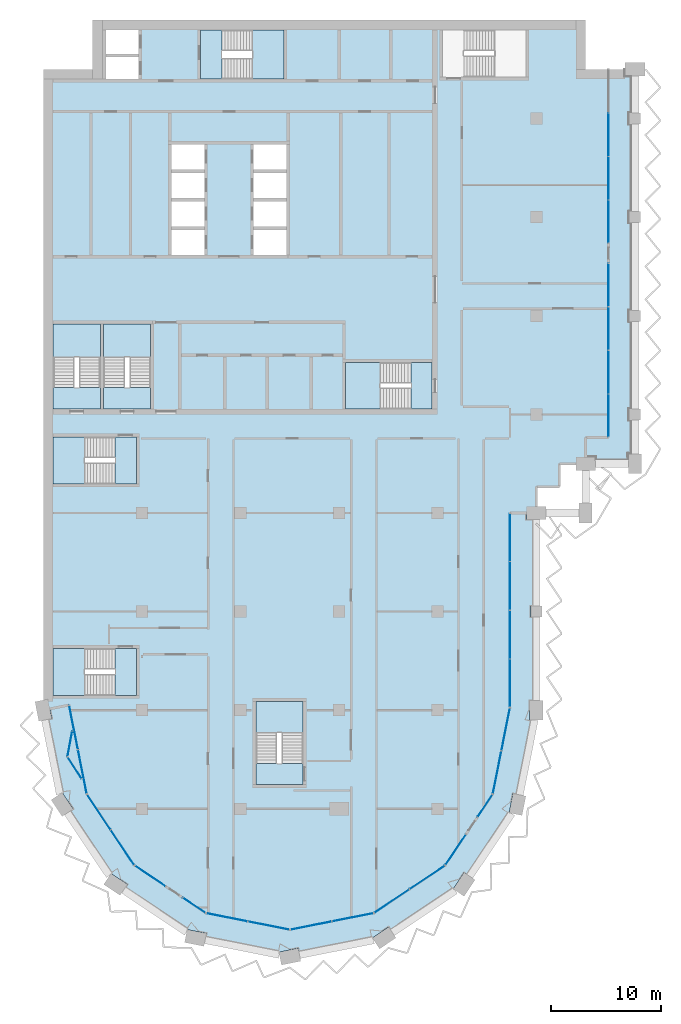
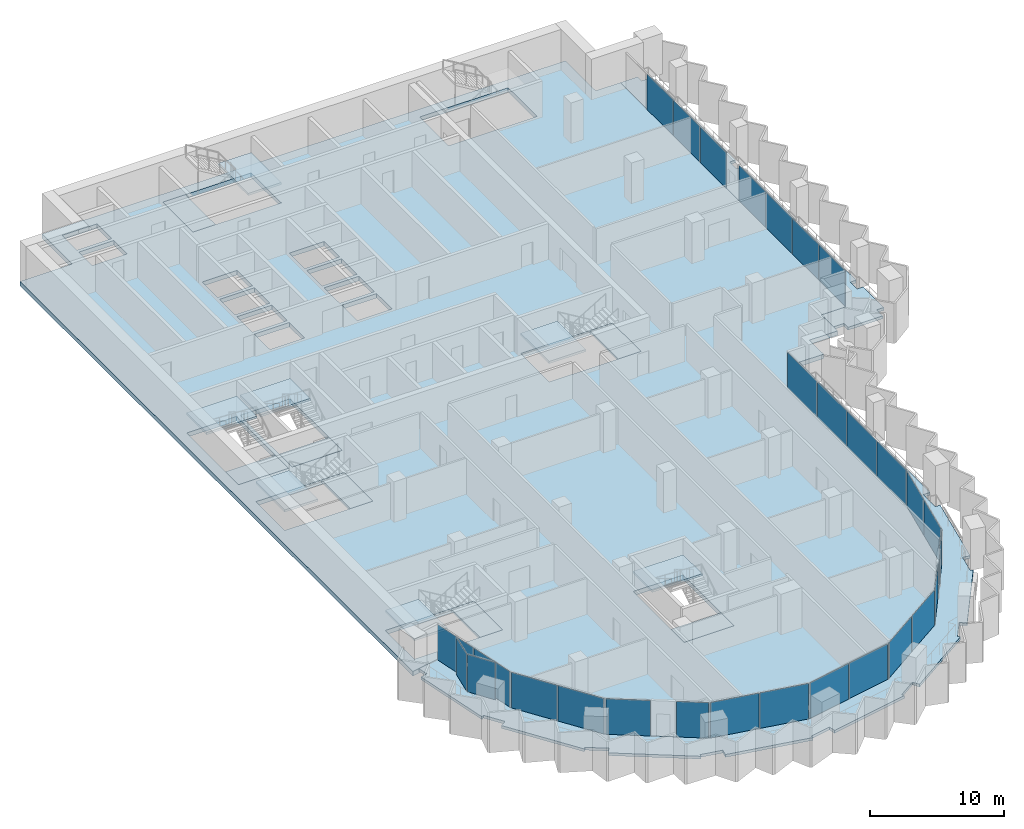
# One storey, part 7 of 19: 29 plates, 17 slabs, 22 elements without a shape of their own.
"""IFC4 building model written with IfcOpenShell, lengths in metres."""

from ifc_helpers import new_model, si_unit, direction, frame, origin, origin_2d, place, context, subcontext, project, spatial, polyline, rectangle, outline, extrude, material, layer, layer_set, type_object, element, aggregate, save


model = new_model("IFC4")

# Units and contexts
model_context = context("Model", 3, precision=1e-05, world=origin(), true_north=direction((0.0, 1.0)))
body_context = subcontext(model_context, "Body", "Model", "MODEL_VIEW")
ifc_project = project(units=[si_unit("LENGTHUNIT", "METRE"), si_unit("AREAUNIT", "SQUARE_METRE"), si_unit("VOLUMEUNIT", "CUBIC_METRE"), si_unit("PLANEANGLEUNIT", "RADIAN"), si_unit("MASSUNIT", "GRAM", prefix="KILO")], contexts=[model_context])

# Site, building, storey
site_placement = place(None, origin())
site = spatial("IfcSite", under=ifc_project, at=site_placement, CompositionType="ELEMENT")
building_placement = place(site_placement, origin())
building = spatial("IfcBuilding", under=site, at=building_placement, Name="Hunhe Ridgeline Campus", CompositionType="ELEMENT")
storey_placement = place(building_placement, frame((0.0, 0.0, 219.800048828125)))
storey = spatial("IfcBuildingStorey", under=building, at=storey_placement, Name="L56", CompositionType="ELEMENT", Elevation=219.800048828125)

# Curtain wall, plates
ifc_material_1 = material(Name="Aluminium 6063", Category="aluminium")
curtain_wall_type_1 = type_object("IfcCurtainWallType", Name="Curtain wall CW-5", PredefinedType="NOTDEFINED", material=ifc_material_1)
curtain_wall_1_placement = place(storey_placement, origin())
curtain_wall_1 = element("IfcCurtainWall", 1, at=curtain_wall_1_placement, inside=storey, type_object=curtain_wall_type_1, Name="Curtain wall 01", PredefinedType="NOTDEFINED")
ifc_material_2 = material(Name="Low-e laminated glass", Category="glass")
ifc_layer_1 = layer(ifc_material_2, 0.028076171875)
ifc_layer_set_1 = layer_set([ifc_layer_1], Name="Curtain wall glass panel 28 low-e laminated")
plate_type = type_object("IfcPlateType", Name="Curtain wall glass panel 28 low-e laminated", PredefinedType="CURTAIN_PANEL", material=ifc_layer_set_1)
plate_1_placement = place(storey_placement, frame((2.76318359375, 34.416015625, 0.0), z_axis=(0.0, 0.0, 1.0), x_axis=(0.195095347137, -0.980784280831, 0.0)))
plate_1 = element("IfcPlate", 2, at=plate_1_placement, type_object=plate_type, Name="CW-5 panel 1", PredefinedType="CURTAIN_PANEL", context=body_context, shape_type="SweptSolid", body=[
    extrude(rectangle(XDim=4.0458984375, YDim=0.028076171875, at=origin_2d()), origin(), (0.0, 0.0, 1.0), 3.22998046875),
])
plate_2_placement = place(storey_placement, frame((3.566162109375, 30.379150390625, 0.0), z_axis=(0.0, 0.0, 1.0), x_axis=(0.195095347137, -0.980784280831, 0.0)))
plate_2 = element("IfcPlate", 3, at=plate_2_placement, type_object=plate_type, Name="CW-5 panel 2", PredefinedType="CURTAIN_PANEL", context=body_context, shape_type="SweptSolid", body=[
    extrude(rectangle(XDim=4.0458984375, YDim=0.028076171875, at=origin_2d()), origin(), (0.0, 0.0, 1.0), 3.22998046875),
])
aggregate(curtain_wall_1, [plate_1, plate_2])

# Curtain wall, plate
curtain_wall_type_2 = type_object("IfcCurtainWallType", Name="Curtain wall CW-2", PredefinedType="NOTDEFINED", material=ifc_material_1)
curtain_wall_2_placement = place(storey_placement, origin())
curtain_wall_2 = element("IfcCurtainWall", 4, at=curtain_wall_2_placement, inside=storey, type_object=curtain_wall_type_2, Name="Curtain wall B01a", PredefinedType="NOTDEFINED")
plate_3_placement = place(storey_placement, frame((2.4248046875, 32.938720703125, 0.0), z_axis=(0.0, 0.0, 1.0), x_axis=(-0.183112559813, -0.983091954213, 0.0)))
plate_3 = element("IfcPlate", 5, at=plate_3_placement, type_object=plate_type, Name="CW-2 panel 1", PredefinedType="CURTAIN_PANEL", context=body_context, shape_type="SweptSolid", body=[
    extrude(rectangle(XDim=2.30322265625, YDim=0.028076171875, at=origin_2d()), origin(), (0.0, 0.0, 1.0), 3.389892578125),
])
aggregate(curtain_wall_2, [plate_3])

curtain_wall_3_placement = place(storey_placement, origin())
curtain_wall_3 = element("IfcCurtainWall", 6, at=curtain_wall_3_placement, inside=storey, type_object=curtain_wall_type_2, Name="Curtain wall B01b", PredefinedType="NOTDEFINED")
plate_4_placement = place(storey_placement, frame((2.86376953125, 30.73193359375, 0.0), z_axis=(0.0, 0.0, 1.0), x_axis=(0.545395474403, -0.838178845176, 0.0)))
plate_4 = element("IfcPlate", 7, at=plate_4_placement, type_object=plate_type, Name="CW-2 panel 1", PredefinedType="CURTAIN_PANEL", context=body_context, shape_type="SweptSolid", body=[
    extrude(rectangle(XDim=2.30322265625, YDim=0.028076171875, at=origin_2d()), origin(), (0.0, 0.0, 1.0), 3.389892578125),
])
aggregate(curtain_wall_3, [plate_4])

# Curtain wall, plates
curtain_wall_4_placement = place(storey_placement, origin())
curtain_wall_4 = element("IfcCurtainWall", 8, at=curtain_wall_4_placement, inside=storey, type_object=curtain_wall_type_1, Name="Curtain wall 02", PredefinedType="NOTDEFINED")
plate_5_placement = place(storey_placement, frame((5.07080078125, 26.685546875, 0.0), z_axis=(0.0, 0.0, 1.0), x_axis=(0.555570274596, -0.831469584522, 0.0)))
plate_5 = element("IfcPlate", 9, at=plate_5_placement, type_object=plate_type, Name="CW-5 panel 1", PredefinedType="CURTAIN_PANEL", context=body_context, shape_type="SweptSolid", body=[
    extrude(rectangle(XDim=3.806884765625, YDim=0.028076171875, at=origin_2d()), origin(), (0.0, 0.0, 1.0), 3.22998046875),
])
plate_6_placement = place(storey_placement, frame((7.224609375, 23.4619140625, 0.0), z_axis=(0.0, 0.0, 1.0), x_axis=(0.555570274596, -0.831469584522, 0.0)))
plate_6 = element("IfcPlate", 10, at=plate_6_placement, type_object=plate_type, Name="CW-5 panel 2", PredefinedType="CURTAIN_PANEL", context=body_context, shape_type="SweptSolid", body=[
    extrude(rectangle(XDim=3.806884765625, YDim=0.028076171875, at=origin_2d()), origin(), (0.0, 0.0, 1.0), 3.22998046875),
])
aggregate(curtain_wall_4, [plate_5, plate_6])

# Curtain wall, plate
curtain_wall_5_placement = place(storey_placement, origin())
curtain_wall_5 = element("IfcCurtainWall", 11, at=curtain_wall_5_placement, inside=storey, type_object=curtain_wall_type_1, Name="Curtain wall 03", PredefinedType="NOTDEFINED")
plate_7_placement = place(storey_placement, frame((9.76025390625, 20.859375, 0.0), z_axis=(0.0, 0.0, 1.0), x_axis=(0.831469595944, -0.555570257501, 0.0)))
plate_7 = element("IfcPlate", 12, at=plate_7_placement, type_object=plate_type, Name="CW-5 panel 1", PredefinedType="CURTAIN_PANEL", context=body_context, shape_type="SweptSolid", body=[
    extrude(rectangle(XDim=3.322021484375, YDim=0.028076171875, at=origin_2d()), origin(), (0.0, 0.0, 1.0), 3.22998046875),
])
aggregate(curtain_wall_5, [plate_7])

curtain_wall_6_placement = place(storey_placement, origin())
curtain_wall_6 = element("IfcCurtainWall", 13, at=curtain_wall_6_placement, inside=storey, type_object=curtain_wall_type_1, Name="Curtain wall 04", PredefinedType="NOTDEFINED")
plate_8_placement = place(storey_placement, frame((13.761474609375, 18.18603515625, 0.0), z_axis=(0.0, 0.0, 1.0), x_axis=(0.831469510353, -0.555570385598, 0.0)))
plate_8 = element("IfcPlate", 14, at=plate_8_placement, type_object=plate_type, Name="CW-5 panel 1", PredefinedType="CURTAIN_PANEL", context=body_context, shape_type="SweptSolid", body=[
    extrude(rectangle(XDim=2.421875, YDim=0.028076171875, at=origin_2d()), origin(), (0.0, 0.0, 1.0), 3.22998046875),
])
aggregate(curtain_wall_6, [plate_8])

# Curtain wall, plates
curtain_wall_7_placement = place(storey_placement, origin())
curtain_wall_7 = element("IfcCurtainWall", 15, at=curtain_wall_7_placement, inside=storey, type_object=curtain_wall_type_1, Name="Curtain wall 05", PredefinedType="NOTDEFINED")
plate_9_placement = place(storey_placement, frame((16.761962890625, 17.08935546875, 0.0), z_axis=(0.0, 0.0, 1.0), x_axis=(0.980785275326, -0.195090347539, 0.0)))
plate_9 = element("IfcPlate", 16, at=plate_9_placement, type_object=plate_type, Name="CW-5 panel 1", PredefinedType="CURTAIN_PANEL", context=body_context, shape_type="SweptSolid", body=[
    extrude(rectangle(XDim=3.806884765625, YDim=0.028076171875, at=origin_2d()), origin(), (0.0, 0.0, 1.0), 3.22998046875),
])
plate_10_placement = place(storey_placement, frame((20.564453125, 16.3330078125, 0.0), z_axis=(0.0, 0.0, 1.0), x_axis=(0.980785275326, -0.195090347539, 0.0)))
plate_10 = element("IfcPlate", 17, at=plate_10_placement, type_object=plate_type, Name="CW-5 panel 2", PredefinedType="CURTAIN_PANEL", context=body_context, shape_type="SweptSolid", body=[
    extrude(rectangle(XDim=3.806884765625, YDim=0.028076171875, at=origin_2d()), origin(), (0.0, 0.0, 1.0), 3.22998046875),
])
aggregate(curtain_wall_7, [plate_9, plate_10])

curtain_wall_8_placement = place(storey_placement, origin())
curtain_wall_8 = element("IfcCurtainWall", 18, at=curtain_wall_8_placement, inside=storey, type_object=curtain_wall_type_1, Name="Curtain wall 06", PredefinedType="NOTDEFINED")
plate_11_placement = place(storey_placement, frame((24.435546875, 16.3330078125, 0.0), z_axis=(0.0, 0.0, 1.0), x_axis=(0.980785275326, 0.195090347539, 0.0)))
plate_11 = element("IfcPlate", 19, at=plate_11_placement, type_object=plate_type, Name="CW-5 panel 1", PredefinedType="CURTAIN_PANEL", context=body_context, shape_type="SweptSolid", body=[
    extrude(rectangle(XDim=3.806884765625, YDim=0.028076171875, at=origin_2d()), origin(), (0.0, 0.0, 1.0), 3.22998046875),
])
plate_12_placement = place(storey_placement, frame((28.238037109375, 17.08935546875, 0.0), z_axis=(0.0, 0.0, 1.0), x_axis=(0.980785275326, 0.195090347539, 0.0)))
plate_12 = element("IfcPlate", 20, at=plate_12_placement, type_object=plate_type, Name="CW-5 panel 2", PredefinedType="CURTAIN_PANEL", context=body_context, shape_type="SweptSolid", body=[
    extrude(rectangle(XDim=3.806884765625, YDim=0.028076171875, at=origin_2d()), origin(), (0.0, 0.0, 1.0), 3.22998046875),
])
aggregate(curtain_wall_8, [plate_11, plate_12])

curtain_wall_9_placement = place(storey_placement, origin())
curtain_wall_9 = element("IfcCurtainWall", 21, at=curtain_wall_9_placement, inside=storey, type_object=curtain_wall_type_1, Name="Curtain wall 07", PredefinedType="NOTDEFINED")
plate_13_placement = place(storey_placement, frame((31.814453125, 18.57080078125, 0.0), z_axis=(0.0, 0.0, 1.0), x_axis=(0.831469584522, 0.555570274596, 0.0)))
plate_13 = element("IfcPlate", 22, at=plate_13_placement, type_object=plate_type, Name="CW-5 panel 1", PredefinedType="CURTAIN_PANEL", context=body_context, shape_type="SweptSolid", body=[
    extrude(rectangle(XDim=3.806884765625, YDim=0.028076171875, at=origin_2d()), origin(), (0.0, 0.0, 1.0), 3.22998046875),
])
plate_14_placement = place(storey_placement, frame((35.0380859375, 20.724609375, 0.0), z_axis=(0.0, 0.0, 1.0), x_axis=(0.831469584522, 0.555570274596, 0.0)))
plate_14 = element("IfcPlate", 23, at=plate_14_placement, type_object=plate_type, Name="CW-5 panel 2", PredefinedType="CURTAIN_PANEL", context=body_context, shape_type="SweptSolid", body=[
    extrude(rectangle(XDim=3.806884765625, YDim=0.028076171875, at=origin_2d()), origin(), (0.0, 0.0, 1.0), 3.22998046875),
])
aggregate(curtain_wall_9, [plate_13, plate_14])

# Curtain wall, plate
curtain_wall_10_placement = place(storey_placement, origin())
curtain_wall_10 = element("IfcCurtainWall", 24, at=curtain_wall_10_placement, inside=storey, type_object=curtain_wall_type_1, Name="Curtain wall 08", PredefinedType="NOTDEFINED")
plate_15_placement = place(storey_placement, frame((37.640625, 23.26025390625, 0.0), z_axis=(0.0, 0.0, 1.0), x_axis=(0.555570257501, 0.831469595944, 0.0)))
plate_15 = element("IfcPlate", 25, at=plate_15_placement, type_object=plate_type, Name="CW-5 panel 1", PredefinedType="CURTAIN_PANEL", context=body_context, shape_type="SweptSolid", body=[
    extrude(rectangle(XDim=3.322021484375, YDim=0.028076171875, at=origin_2d()), origin(), (0.0, 0.0, 1.0), 3.22998046875),
])
aggregate(curtain_wall_10, [plate_15])

curtain_wall_11_placement = place(storey_placement, origin())
curtain_wall_11 = element("IfcCurtainWall", 26, at=curtain_wall_11_placement, inside=storey, type_object=curtain_wall_type_1, Name="Curtain wall 09", PredefinedType="NOTDEFINED")
plate_16_placement = place(storey_placement, frame((40.31396484375, 27.261474609375, 0.0), z_axis=(0.0, 0.0, 1.0), x_axis=(0.555570385598, 0.831469510353, 0.0)))
plate_16 = element("IfcPlate", 27, at=plate_16_placement, type_object=plate_type, Name="CW-5 panel 1", PredefinedType="CURTAIN_PANEL", context=body_context, shape_type="SweptSolid", body=[
    extrude(rectangle(XDim=2.421875, YDim=0.028076171875, at=origin_2d()), origin(), (0.0, 0.0, 1.0), 3.22998046875),
])
aggregate(curtain_wall_11, [plate_16])

# Curtain wall, plates
curtain_wall_12_placement = place(storey_placement, origin())
curtain_wall_12 = element("IfcCurtainWall", 28, at=curtain_wall_12_placement, inside=storey, type_object=curtain_wall_type_1, Name="Curtain wall 10", PredefinedType="NOTDEFINED")
plate_17_placement = place(storey_placement, frame((41.42236328125, 30.321044921875, 0.0), z_axis=(0.0, 0.0, 1.0), x_axis=(0.195090299215, 0.980785284939, 0.0)))
plate_17 = element("IfcPlate", 29, at=plate_17_placement, type_object=plate_type, Name="CW-5 panel 1", PredefinedType="CURTAIN_PANEL", context=body_context, shape_type="SweptSolid", body=[
    extrude(rectangle(XDim=3.927490234375, YDim=0.028076171875, at=origin_2d()), origin(), (0.0, 0.0, 1.0), 3.22998046875),
])
plate_18_placement = place(storey_placement, frame((42.2021484375, 34.24169921875, 0.0), z_axis=(0.0, 0.0, 1.0), x_axis=(0.195090299215, 0.980785284939, 0.0)))
plate_18 = element("IfcPlate", 30, at=plate_18_placement, type_object=plate_type, Name="CW-5 panel 2", PredefinedType="CURTAIN_PANEL", context=body_context, shape_type="SweptSolid", body=[
    extrude(rectangle(XDim=3.927490234375, YDim=0.028076171875, at=origin_2d()), origin(), (0.0, 0.0, 1.0), 3.22998046875),
])
aggregate(curtain_wall_12, [plate_17, plate_18])

curtain_wall_type_3 = type_object("IfcCurtainWallType", Name="Curtain wall CW-1", PredefinedType="NOTDEFINED", material=ifc_material_1)
curtain_wall_13_placement = place(storey_placement, origin())
curtain_wall_13 = element("IfcCurtainWall", 31, at=curtain_wall_13_placement, inside=storey, type_object=curtain_wall_type_3, Name="Curtain wall 11", PredefinedType="NOTDEFINED")
plate_19_placement = place(storey_placement, frame((42.59912109375, 38.471923828125, 0.0), z_axis=(0.0, 0.0, 1.0), x_axis=(6.642653e-06, 0.999999999978, 0.0)))
plate_19 = element("IfcPlate", 32, at=plate_19_placement, type_object=plate_type, Name="CW-1 panel 1", PredefinedType="CURTAIN_PANEL", context=body_context, shape_type="SweptSolid", body=[
    extrude(rectangle(XDim=4.35107421875, YDim=0.028076171875, at=origin_2d()), origin(), (0.0, 0.0, 1.0), 3.239990234375),
])
plate_20_placement = place(storey_placement, frame((42.59912109375, 42.89794921875, 0.0), z_axis=(0.0, 0.0, 1.0), x_axis=(6.642653e-06, 0.999999999978, 0.0)))
plate_20 = element("IfcPlate", 33, at=plate_20_placement, type_object=plate_type, Name="CW-1 panel 2", PredefinedType="CURTAIN_PANEL", context=body_context, shape_type="SweptSolid", body=[
    extrude(rectangle(XDim=4.381103515625, YDim=0.028076171875, at=origin_2d()), origin(), (0.0, 0.0, 1.0), 3.239990234375),
])
plate_21_placement = place(storey_placement, frame((42.59912109375, 47.3388671875, 0.0), z_axis=(0.0, 0.0, 1.0), x_axis=(6.642653e-06, 0.999999999978, 0.0)))
plate_21 = element("IfcPlate", 34, at=plate_21_placement, type_object=plate_type, Name="CW-1 panel 3", PredefinedType="CURTAIN_PANEL", context=body_context, shape_type="SweptSolid", body=[
    extrude(rectangle(XDim=4.381103515625, YDim=0.028076171875, at=origin_2d()), origin(), (0.0, 0.0, 1.0), 3.239990234375),
])
plate_22_placement = place(storey_placement, frame((42.59912109375, 51.764892578125, 0.0), z_axis=(0.0, 0.0, 1.0), x_axis=(6.642653e-06, 0.999999999978, 0.0)))
plate_22 = element("IfcPlate", 35, at=plate_22_placement, type_object=plate_type, Name="CW-1 panel 4", PredefinedType="CURTAIN_PANEL", context=body_context, shape_type="SweptSolid", body=[
    extrude(rectangle(XDim=4.35107421875, YDim=0.028076171875, at=origin_2d()), origin(), (0.0, 0.0, 1.0), 3.239990234375),
])
aggregate(curtain_wall_13, [plate_19, plate_20, plate_21, plate_22])

curtain_wall_14_placement = place(storey_placement, origin())
curtain_wall_14 = element("IfcCurtainWall", 36, at=curtain_wall_14_placement, inside=storey, type_object=curtain_wall_type_3, Name="Curtain wall 12", PredefinedType="NOTDEFINED")
plate_23_placement = place(storey_placement, frame((51.59912109375, 62.9033203125, 0.0), z_axis=(0.0, 0.0, 1.0), x_axis=(0.0, 1.0, 0.0)))
plate_23 = element("IfcPlate", 37, at=plate_23_placement, type_object=plate_type, Name="CW-1 panel 1", PredefinedType="CURTAIN_PANEL", context=body_context, shape_type="SweptSolid", body=[
    extrude(rectangle(XDim=3.884765625, YDim=0.028076171875, at=origin_2d()), origin(), (0.0, 0.0, 1.0), 3.239990234375),
])
plate_24_placement = place(storey_placement, frame((51.59912109375, 66.86328125, 0.0), z_axis=(0.0, 0.0, 1.0), x_axis=(0.0, 1.0, 0.0)))
plate_24 = element("IfcPlate", 38, at=plate_24_placement, type_object=plate_type, Name="CW-1 panel 2", PredefinedType="CURTAIN_PANEL", context=body_context, shape_type="SweptSolid", body=[
    extrude(rectangle(XDim=3.914794921875, YDim=0.028076171875, at=origin_2d()), origin(), (0.0, 0.0, 1.0), 3.239990234375),
])
plate_25_placement = place(storey_placement, frame((51.59912109375, 70.838134765625, 0.0), z_axis=(0.0, 0.0, 1.0), x_axis=(0.0, 1.0, 0.0)))
plate_25 = element("IfcPlate", 39, at=plate_25_placement, type_object=plate_type, Name="CW-1 panel 3", PredefinedType="CURTAIN_PANEL", context=body_context, shape_type="SweptSolid", body=[
    extrude(rectangle(XDim=3.914794921875, YDim=0.028076171875, at=origin_2d()), origin(), (0.0, 0.0, 1.0), 3.239990234375),
])
plate_26_placement = place(storey_placement, frame((51.59912109375, 74.798095703125, 0.0), z_axis=(0.0, 0.0, 1.0), x_axis=(0.0, 1.0, 0.0)))
plate_26 = element("IfcPlate", 40, at=plate_26_placement, type_object=plate_type, Name="CW-1 panel 4", PredefinedType="CURTAIN_PANEL", context=body_context, shape_type="SweptSolid", body=[
    extrude(rectangle(XDim=3.884765625, YDim=0.028076171875, at=origin_2d()), origin(), (0.0, 0.0, 1.0), 3.239990234375),
])
aggregate(curtain_wall_14, [plate_23, plate_24, plate_25, plate_26])

curtain_wall_15_placement = place(storey_placement, origin())
curtain_wall_15 = element("IfcCurtainWall", 41, at=curtain_wall_15_placement, inside=storey, type_object=curtain_wall_type_3, Name="Curtain wall 13", PredefinedType="NOTDEFINED")
plate_27_placement = place(storey_placement, frame((51.59912109375, 80.60302734375, 0.0), z_axis=(0.0, 0.0, 1.0), x_axis=(0.0, 1.0, 0.0)))
plate_27 = element("IfcPlate", 42, at=plate_27_placement, type_object=plate_type, Name="CW-1 panel 1", PredefinedType="CURTAIN_PANEL", context=body_context, shape_type="SweptSolid", body=[
    extrude(rectangle(XDim=3.884765625, YDim=0.028076171875, at=origin_2d()), origin(), (0.0, 0.0, 1.0), 3.239990234375),
])
plate_28_placement = place(storey_placement, frame((51.59912109375, 84.562744140625, 0.0), z_axis=(0.0, 0.0, 1.0), x_axis=(0.0, 1.0, 0.0)))
plate_28 = element("IfcPlate", 43, at=plate_28_placement, type_object=plate_type, Name="CW-1 panel 2", PredefinedType="CURTAIN_PANEL", context=body_context, shape_type="SweptSolid", body=[
    extrude(rectangle(XDim=3.914794921875, YDim=0.028076171875, at=origin_2d()), origin(), (0.0, 0.0, 1.0), 3.239990234375),
])
plate_29_placement = place(storey_placement, frame((51.59912109375, 88.53759765625, 0.0), z_axis=(0.0, 0.0, 1.0), x_axis=(0.0, 1.0, 0.0)))
plate_29 = element("IfcPlate", 44, at=plate_29_placement, type_object=plate_type, Name="CW-1 panel 3", PredefinedType="CURTAIN_PANEL", context=body_context, shape_type="SweptSolid", body=[
    extrude(rectangle(XDim=3.914794921875, YDim=0.028076171875, at=origin_2d()), origin(), (0.0, 0.0, 1.0), 3.239990234375),
])
aggregate(curtain_wall_15, [plate_27, plate_28, plate_29])

# Slabs
ifc_material_3 = material(Name="Concrete C40", Category="concrete")
ifc_layer_2 = layer(ifc_material_3, 0.39990234375)
ifc_layer_set_2 = layer_set([ifc_layer_2], Name="Floor slab 400 Concrete C40")
slab_type_1 = type_object("IfcSlabType", Name="Floor slab 400 Concrete C40", PredefinedType="FLOOR", material=ifc_layer_set_2)
slab_1_placement = place(storey_placement, frame((0.0, 0.0, -0.400146484375)))
element("IfcSlab", 45, at=slab_1_placement, inside=storey, type_object=slab_type_1, Name="Floor slab L56 1", PredefinedType="FLOOR", context=body_context, shape_type="SweptSolid", body=[
    extrude(outline(polyline([(30.173583984375, 17.474365234375), (36.678955078125, 21.821044921875), (41.025634765625, 28.326416015625), (42.59912109375, 36.236572265625), (42.59912109375, 54.00048828125), (44.9990234375, 54.0009765625), (44.999267578125, 56.400634765625), (47.09912109375, 56.40087890625), (47.099609375, 58.5009765625), (49.4990234375, 58.5009765625), (49.49951171875, 60.90087890625), (51.59912109375, 60.90087890625), (51.59912109375, 94.5), (49.5, 94.5), (49.5, 99.0), (4.5, 99.0), (4.5, 94.5), (0.0, 94.5), (0.0, 36.0009765625), (2.354736328125, 36.46875), (3.974365234375, 28.326416015625), (8.321044921875, 21.821044921875), (14.826416015625, 17.474365234375), (22.5, 15.947998046875), (30.173583984375, 17.474365234375)]), holes=[polyline([(36.449951171875, 93.800048828125), (44.050048828125, 93.800048828125), (44.050048828125, 98.10009765625), (36.449951171875, 98.10009765625), (36.449951171875, 93.800048828125)]), polyline([(35.5, 63.5), (35.5, 67.75), (27.60009765625, 67.75), (27.60009765625, 63.5), (35.5, 63.5)]), polyline([(19.39990234375, 29.199951171875), (23.699951171875, 29.199951171875), (23.699951171875, 36.800048828125), (19.39990234375, 36.800048828125), (19.39990234375, 29.199951171875)]), polyline([(22.199951171875, 80.14990234375), (22.199951171875, 82.449951171875), (19.199951171875, 82.449951171875), (19.199951171875, 80.14990234375), (22.199951171875, 80.14990234375)]), polyline([(22.199951171875, 79.85009765625), (19.199951171875, 79.85009765625), (19.199951171875, 77.550048828125), (22.199951171875, 77.550048828125), (22.199951171875, 79.85009765625)]), polyline([(19.199951171875, 87.64990234375), (19.199951171875, 85.35009765625), (22.199951171875, 85.35009765625), (22.199951171875, 87.64990234375), (19.199951171875, 87.64990234375)]), polyline([(19.199951171875, 82.75), (22.199951171875, 82.75), (22.199951171875, 85.050048828125), (19.199951171875, 85.050048828125), (19.199951171875, 82.75)]), polyline([(14.35009765625, 93.60009765625), (21.949951171875, 93.60009765625), (21.949951171875, 98.10009765625), (14.35009765625, 98.10009765625), (14.35009765625, 93.60009765625)]), polyline([(14.699951171875, 79.85009765625), (11.699951171875, 79.85009765625), (11.699951171875, 77.550048828125), (14.699951171875, 77.550048828125), (14.699951171875, 79.85009765625)]), polyline([(14.699951171875, 80.14990234375), (14.699951171875, 82.449951171875), (11.699951171875, 82.449951171875), (11.699951171875, 80.14990234375), (14.699951171875, 80.14990234375)]), polyline([(11.699951171875, 87.64990234375), (11.699951171875, 85.35009765625), (14.699951171875, 85.35009765625), (14.699951171875, 87.64990234375), (11.699951171875, 87.64990234375)]), polyline([(11.699951171875, 82.75), (14.699951171875, 82.75), (14.699951171875, 85.050048828125), (11.699951171875, 85.050048828125), (11.699951171875, 82.75)]), polyline([(9.800048828125, 71.25), (5.5, 71.25), (5.5, 63.5), (9.800048828125, 63.5), (9.800048828125, 71.25)]), polyline([(8.699951171875, 95.89990234375), (8.699951171875, 98.10009765625), (5.699951171875, 98.10009765625), (5.699951171875, 95.89990234375), (8.699951171875, 95.89990234375)]), polyline([(8.699951171875, 95.60009765625), (5.699951171875, 95.60009765625), (5.699951171875, 93.60009765625), (8.699951171875, 93.60009765625), (8.699951171875, 95.60009765625)]), polyline([(0.89990234375, 37.35009765625), (8.5, 37.35009765625), (8.5, 41.64990234375), (0.89990234375, 41.64990234375), (0.89990234375, 37.35009765625)]), polyline([(0.89990234375, 60.949951171875), (0.89990234375, 56.64990234375), (8.5, 56.64990234375), (8.5, 60.949951171875), (0.89990234375, 60.949951171875)]), polyline([(0.89990234375, 71.25), (0.89990234375, 63.5), (5.199951171875, 63.5), (5.199951171875, 71.25), (0.89990234375, 71.25)])]), origin(), (0.0, 0.0, 1.0), 0.400146484375),
])
ifc_layer_3 = layer(ifc_material_3, 0.25)
ifc_layer_set_3 = layer_set([ifc_layer_3], Name="Loggia slab 250 Concrete C40")
slab_type_2 = type_object("IfcSlabType", Name="Loggia slab 250 Concrete C40", PredefinedType="FLOOR", material=ifc_layer_set_3)
slab_2_placement = place(storey_placement, frame((0.0, 0.0, -0.25)))
element("IfcSlab", 46, at=slab_2_placement, inside=storey, type_object=slab_type_2, Name="Loggia slab 1", PredefinedType="FLOOR", context=body_context, shape_type="SweptSolid", body=[
    extrude(outline(polyline([(30.173828125, 17.473388671875), (22.5, 15.947021484375), (14.826171875, 17.473388671875), (8.3203125, 21.8203125), (3.973388671875, 28.326171875), (2.35400390625, 36.46826171875), (0.58837890625, 36.116943359375), (0.76416015625, 35.234375), (0.175537109375, 35.1171875), (1.522705078125, 28.344970703125), (1.711669921875, 28.47119140625), (2.711669921875, 26.974609375), (2.212646484375, 26.641357421875), (6.048828125, 20.900146484375), (6.175048828125, 21.089111328125), (7.671875, 20.0888671875), (7.33837890625, 19.590087890625), (13.07958984375, 15.75390625), (13.1240234375, 15.976806640625), (14.889404296875, 15.62548828125), (14.772216796875, 15.037109375), (21.544677734375, 13.68994140625), (21.500244140625, 13.912841796875), (23.265625, 14.26416015625), (23.3828125, 13.675537109375), (30.155029296875, 15.022705078125), (30.02880859375, 15.211669921875), (31.525390625, 16.211669921875), (31.858642578125, 15.712646484375), (37.599853515625, 19.548828125), (37.410888671875, 19.675048828125), (38.4111328125, 21.171875), (38.909912109375, 20.83837890625), (42.74609375, 26.57958984375), (42.523193359375, 26.6240234375), (42.87451171875, 28.389404296875), (43.462890625, 28.272216796875), (44.821044921875, 35.10009765625), (44.39990234375, 35.10009765625), (44.39990234375, 36.89990234375), (45.0, 36.89990234375), (45.0, 44.5), (44.5, 44.5), (44.5, 45.5), (45.0, 45.5), (45.0, 53.39990234375), (44.10009765625, 53.39990234375), (44.10009765625, 54.0), (42.60009765625, 54.0), (42.60009765625, 36.236328125), (41.026611328125, 28.326171875), (36.6796875, 21.8203125), (30.173828125, 17.473388671875)])), origin(), (0.0, 0.0, 1.0), 0.25),
])
slab_3_placement = place(storey_placement, frame((0.0, 0.0, -0.25)))
element("IfcSlab", 47, at=slab_3_placement, inside=storey, type_object=slab_type_2, Name="Loggia slab 2", PredefinedType="FLOOR", context=body_context, shape_type="SweptSolid", body=[
    extrude(outline(polyline([(49.5, 59.10009765625), (50.39990234375, 59.10009765625), (50.39990234375, 58.5), (53.39990234375, 58.5), (53.39990234375, 59.39990234375), (54.0, 59.39990234375), (54.0, 62.5), (53.5, 62.5), (53.5, 63.5), (54.0, 63.5), (54.0, 71.5), (53.5, 71.5), (53.5, 72.5), (54.0, 72.5), (54.0, 80.5), (53.5, 80.5), (53.5, 81.5), (54.0, 81.5), (54.0, 89.5), (53.5, 89.5), (53.5, 90.5), (54.0, 90.5), (54.0, 93.89990234375), (53.10009765625, 93.89990234375), (53.10009765625, 94.5), (51.60009765625, 94.5), (51.60009765625, 60.89990234375), (49.5, 60.89990234375), (49.5, 59.10009765625)])), origin(), (0.0, 0.0, 1.0), 0.25),
])

# Stair, slab
stair_type = type_object("IfcStairType", Name="Reinforced concrete dog-leg stair 1950 Concrete C40", PredefinedType="HALF_TURN_STAIR", material=ifc_material_3)
stair_1_placement = place(storey_placement, origin())
stair_1 = element("IfcStair", 48, at=stair_1_placement, inside=storey, type_object=stair_type, Name="L56 S1", PredefinedType="HALF_TURN_STAIR")
ifc_layer_4 = layer(ifc_material_3, 0.199951171875)
ifc_layer_set_4 = layer_set([ifc_layer_4], Name="Reinforced concrete stair landing 200 Concrete C40")
slab_type_3 = type_object("IfcSlabType", Name="Reinforced concrete stair landing 200 Concrete C40", PredefinedType="LANDING", material=ifc_layer_set_4)
slab_4_placement = place(storey_placement, frame((0.0, 0.0, 1.64990234375)))
slab_4 = element("IfcSlab", 49, at=slab_4_placement, type_object=slab_type_3, Name="ST1 landing 1", PredefinedType="LANDING", context=body_context, shape_type="SweptSolid", body=[
    extrude(outline(polyline([(19.10009765625, 93.60009765625), (21.949951171875, 93.60009765625), (21.949951171875, 98.10009765625), (19.10009765625, 98.10009765625), (19.10009765625, 93.60009765625)])), origin(), (0.0, 0.0, 1.0), 0.199951171875),
])
aggregate(stair_1, [slab_4])

# Slab
slab_5_placement = place(storey_placement, frame((0.0, 0.0, -0.199951171875)))
element("IfcSlab", 50, at=slab_5_placement, inside=storey, type_object=slab_type_3, Name="L56 stair S1 floor landing", PredefinedType="LANDING", context=body_context, shape_type="SweptSolid", body=[
    extrude(outline(polyline([(14.35009765625, 93.60009765625), (16.300048828125, 93.60009765625), (16.300048828125, 98.10009765625), (14.35009765625, 98.10009765625), (14.35009765625, 93.60009765625)])), origin(), (0.0, 0.0, 1.0), 0.199951171875),
])

# Stair, slab
stair_2_placement = place(storey_placement, origin())
stair_2 = element("IfcStair", 51, at=stair_2_placement, inside=storey, type_object=stair_type, Name="L56 S2", PredefinedType="HALF_TURN_STAIR")
slab_6_placement = place(storey_placement, frame((0.0, 0.0, 1.64990234375)))
slab_6 = element("IfcSlab", 52, at=slab_6_placement, type_object=slab_type_3, Name="ST2 landing 1", PredefinedType="LANDING", context=body_context, shape_type="SweptSolid", body=[
    extrude(outline(polyline([(30.75, 67.75), (27.60009765625, 67.75), (27.60009765625, 63.5), (30.75, 63.5), (30.75, 67.75)])), origin(), (0.0, 0.0, 1.0), 0.199951171875),
])
aggregate(stair_2, [slab_6])

# Slab
slab_7_placement = place(storey_placement, frame((0.0, 0.0, -0.199951171875)))
element("IfcSlab", 53, at=slab_7_placement, inside=storey, type_object=slab_type_3, Name="L56 stair S2 floor landing", PredefinedType="LANDING", context=body_context, shape_type="SweptSolid", body=[
    extrude(outline(polyline([(35.5, 67.75), (33.550048828125, 67.75), (33.550048828125, 63.5), (35.5, 63.5), (35.5, 67.75)])), origin(), (0.0, 0.0, 1.0), 0.199951171875),
])

# Stair, slab
stair_3_placement = place(storey_placement, origin())
stair_3 = element("IfcStair", 54, at=stair_3_placement, inside=storey, type_object=stair_type, Name="L56 S3", PredefinedType="HALF_TURN_STAIR")
slab_8_placement = place(storey_placement, frame((0.0, 0.0, 1.64990234375)))
slab_8 = element("IfcSlab", 55, at=slab_8_placement, type_object=slab_type_3, Name="ST3 landing 1", PredefinedType="LANDING", context=body_context, shape_type="SweptSolid", body=[
    extrude(outline(polyline([(5.199951171875, 68.25), (5.199951171875, 71.25), (0.89990234375, 71.25), (0.89990234375, 68.25), (5.199951171875, 68.25)])), origin(), (0.0, 0.0, 1.0), 0.199951171875),
])
aggregate(stair_3, [slab_8])

# Slab
slab_9_placement = place(storey_placement, frame((0.0, 0.0, -0.199951171875)))
element("IfcSlab", 56, at=slab_9_placement, inside=storey, type_object=slab_type_3, Name="L56 stair S3 floor landing", PredefinedType="LANDING", context=body_context, shape_type="SweptSolid", body=[
    extrude(outline(polyline([(5.199951171875, 63.5), (5.199951171875, 65.449951171875), (0.89990234375, 65.449951171875), (0.89990234375, 63.5), (5.199951171875, 63.5)])), origin(), (0.0, 0.0, 1.0), 0.199951171875),
])

# Stair, slab
stair_4_placement = place(storey_placement, origin())
stair_4 = element("IfcStair", 57, at=stair_4_placement, inside=storey, type_object=stair_type, Name="L56 S4", PredefinedType="HALF_TURN_STAIR")
slab_10_placement = place(storey_placement, frame((0.0, 0.0, 1.64990234375)))
slab_10 = element("IfcSlab", 58, at=slab_10_placement, type_object=slab_type_3, Name="ST4 landing 1", PredefinedType="LANDING", context=body_context, shape_type="SweptSolid", body=[
    extrude(outline(polyline([(9.800048828125, 68.25), (9.800048828125, 71.25), (5.5, 71.25), (5.5, 68.25), (9.800048828125, 68.25)])), origin(), (0.0, 0.0, 1.0), 0.199951171875),
])
aggregate(stair_4, [slab_10])

# Slab
slab_11_placement = place(storey_placement, frame((0.0, 0.0, -0.199951171875)))
element("IfcSlab", 59, at=slab_11_placement, inside=storey, type_object=slab_type_3, Name="L56 stair S4 floor landing", PredefinedType="LANDING", context=body_context, shape_type="SweptSolid", body=[
    extrude(outline(polyline([(9.800048828125, 63.5), (9.800048828125, 65.449951171875), (5.5, 65.449951171875), (5.5, 63.5), (9.800048828125, 63.5)])), origin(), (0.0, 0.0, 1.0), 0.199951171875),
])

# Stair, slab
stair_5_placement = place(storey_placement, origin())
stair_5 = element("IfcStair", 60, at=stair_5_placement, inside=storey, type_object=stair_type, Name="L56 W3", PredefinedType="HALF_TURN_STAIR")
slab_12_placement = place(storey_placement, frame((0.0, 0.0, 1.64990234375)))
slab_12 = element("IfcSlab", 61, at=slab_12_placement, type_object=slab_type_3, Name="ST9 landing 1", PredefinedType="LANDING", context=body_context, shape_type="SweptSolid", body=[
    extrude(outline(polyline([(23.699951171875, 33.949951171875), (23.699951171875, 36.800048828125), (19.39990234375, 36.800048828125), (19.39990234375, 33.949951171875), (23.699951171875, 33.949951171875)])), origin(), (0.0, 0.0, 1.0), 0.199951171875),
])
aggregate(stair_5, [slab_12])

# Slab
slab_13_placement = place(storey_placement, frame((0.0, 0.0, -0.199951171875)))
element("IfcSlab", 62, at=slab_13_placement, inside=storey, type_object=slab_type_3, Name="L56 stair W3 floor landing", PredefinedType="LANDING", context=body_context, shape_type="SweptSolid", body=[
    extrude(outline(polyline([(23.699951171875, 29.199951171875), (23.699951171875, 31.14990234375), (19.39990234375, 31.14990234375), (19.39990234375, 29.199951171875), (23.699951171875, 29.199951171875)])), origin(), (0.0, 0.0, 1.0), 0.199951171875),
])

# Stair, slab
stair_6_placement = place(storey_placement, origin())
stair_6 = element("IfcStair", 63, at=stair_6_placement, inside=storey, type_object=stair_type, Name="L56 W1", PredefinedType="HALF_TURN_STAIR")
slab_14_placement = place(storey_placement, frame((0.0, 0.0, 1.64990234375)))
slab_14 = element("IfcSlab", 64, at=slab_14_placement, type_object=slab_type_3, Name="ST11 landing 1", PredefinedType="LANDING", context=body_context, shape_type="SweptSolid", body=[
    extrude(outline(polyline([(3.75, 41.64990234375), (0.89990234375, 41.64990234375), (0.89990234375, 37.35009765625), (3.75, 37.35009765625), (3.75, 41.64990234375)])), origin(), (0.0, 0.0, 1.0), 0.199951171875),
])
aggregate(stair_6, [slab_14])

# Slab
slab_15_placement = place(storey_placement, frame((0.0, 0.0, -0.199951171875)))
element("IfcSlab", 65, at=slab_15_placement, inside=storey, type_object=slab_type_3, Name="L56 stair W1 floor landing", PredefinedType="LANDING", context=body_context, shape_type="SweptSolid", body=[
    extrude(outline(polyline([(8.5, 41.64990234375), (6.550048828125, 41.64990234375), (6.550048828125, 37.35009765625), (8.5, 37.35009765625), (8.5, 41.64990234375)])), origin(), (0.0, 0.0, 1.0), 0.199951171875),
])

# Stair, slab
stair_7_placement = place(storey_placement, origin())
stair_7 = element("IfcStair", 66, at=stair_7_placement, inside=storey, type_object=stair_type, Name="L56 W2", PredefinedType="HALF_TURN_STAIR")
slab_16_placement = place(storey_placement, frame((0.0, 0.0, 1.64990234375)))
slab_16 = element("IfcSlab", 67, at=slab_16_placement, type_object=slab_type_3, Name="ST12 landing 1", PredefinedType="LANDING", context=body_context, shape_type="SweptSolid", body=[
    extrude(outline(polyline([(3.75, 60.949951171875), (0.89990234375, 60.949951171875), (0.89990234375, 56.64990234375), (3.75, 56.64990234375), (3.75, 60.949951171875)])), origin(), (0.0, 0.0, 1.0), 0.199951171875),
])
aggregate(stair_7, [slab_16])

# Slab
slab_17_placement = place(storey_placement, frame((0.0, 0.0, -0.199951171875)))
element("IfcSlab", 68, at=slab_17_placement, inside=storey, type_object=slab_type_3, Name="L56 stair W2 floor landing", PredefinedType="LANDING", context=body_context, shape_type="SweptSolid", body=[
    extrude(outline(polyline([(8.5, 60.949951171875), (6.550048828125, 60.949951171875), (6.550048828125, 56.64990234375), (8.5, 56.64990234375), (8.5, 60.949951171875)])), origin(), (0.0, 0.0, 1.0), 0.199951171875),
])

save(model, "model.ifc")
